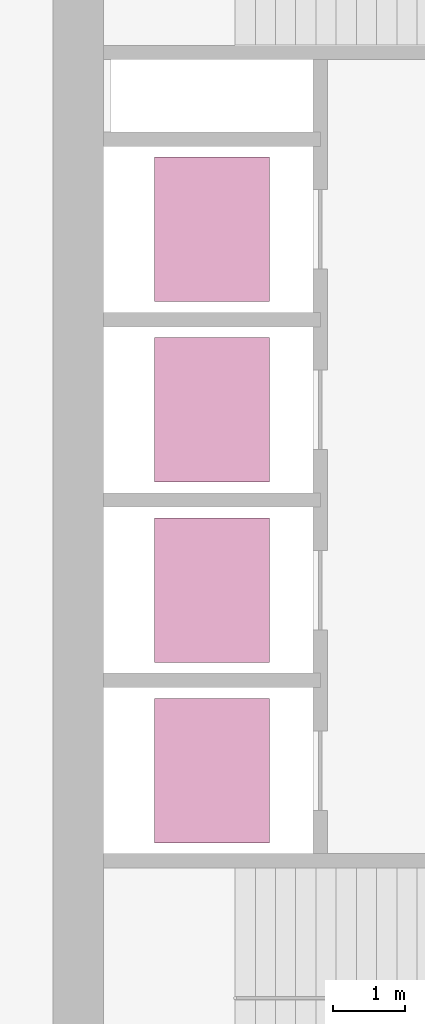
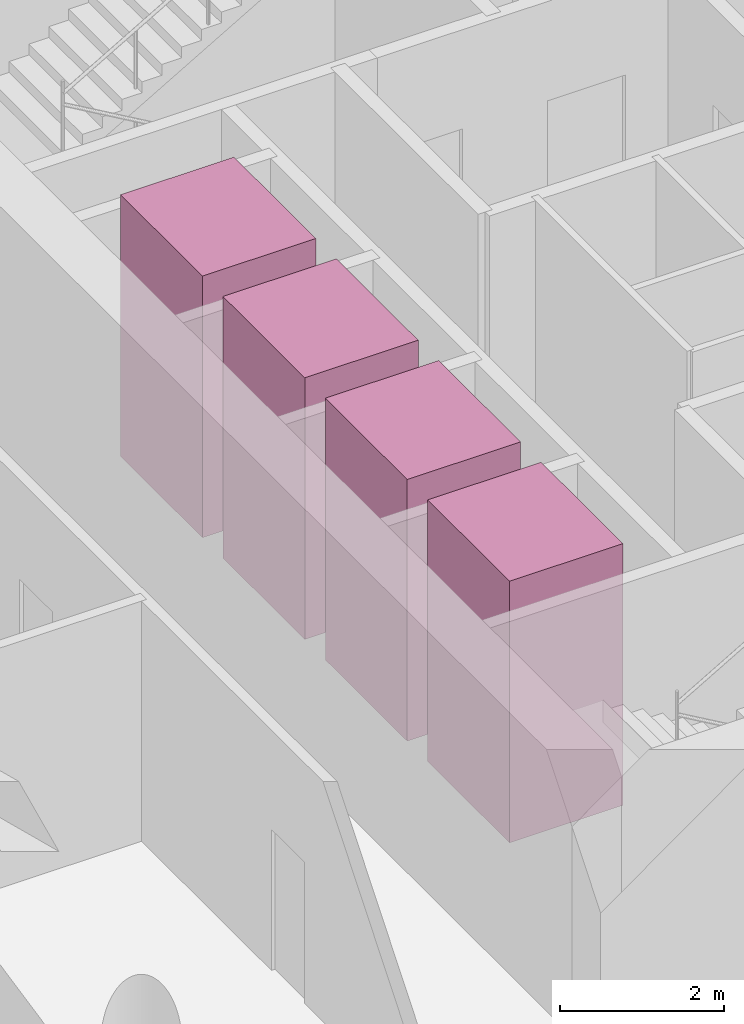
# One storey, part 9 of 9: 4 transport elements.
"""IFC4 building model written with IfcOpenShell, lengths in metres."""

from ifc_helpers import new_model, si_unit, direction, frame, origin, origin_2d, place, context, subcontext, project, spatial, rectangle, extrude, material, type_object, element, save


model = new_model("IFC4")

# Units and contexts
model_context = context("Model", 3, precision=1e-05, world=origin(), true_north=direction((0.0, 1.0)))
body_context = subcontext(model_context, "Body", "Model", "MODEL_VIEW")
ifc_project = project(units=[si_unit("LENGTHUNIT", "METRE"), si_unit("AREAUNIT", "SQUARE_METRE"), si_unit("VOLUMEUNIT", "CUBIC_METRE"), si_unit("PLANEANGLEUNIT", "RADIAN"), si_unit("MASSUNIT", "GRAM", prefix="KILO")], contexts=[model_context])

# Site, building, storey
site_placement = place(None, origin())
site = spatial("IfcSite", under=ifc_project, at=site_placement, CompositionType="ELEMENT")
building_placement = place(site_placement, origin())
building = spatial("IfcBuilding", under=site, at=building_placement, Name="Qaws Garden Tower", CompositionType="ELEMENT")
storey_placement = place(building_placement, frame((0.0, 0.0, 229.199951171875)))
storey = spatial("IfcBuildingStorey", under=building, at=storey_placement, Name="L56", CompositionType="ELEMENT", Elevation=229.199951171875)

# Transport elements
ifc_material = material(Name="Stainless steel 316", Category="steel")
transport_element_type = type_object("IfcTransportElementType", Name="Passenger lift car 2000x1600 1800 kg", PredefinedType="ELEVATOR", material=ifc_material)
for number, where, z_axis, x_axis, name in (
    (1, (10.199951171875, 13.64990234375, 0.0), (0.0, 0.0, 1.0), (1.0, 0.0, 0.0), "MR1"),
    (2, (10.199951171875, 16.14990234375, 0.0), (0.0, 0.0, 1.0), (1.0, 0.0, 0.0), "MR2"),
    (3, (10.199951171875, 18.64990234375, 0.0), (0.0, 0.0, 1.0), (1.0, 0.0, 0.0), "MR3"),
    (4, (10.199951171875, 21.14990234375, 0.0), (0.0, 0.0, 1.0), (1.0, 0.0, 0.0), "MR4"),
):
    element("IfcTransportElement", number, at=place(storey_placement, frame(where, z_axis=z_axis, x_axis=x_axis)), inside=storey, type_object=transport_element_type, Name=name, PredefinedType="ELEVATOR", context=body_context, shape_type="SweptSolid", body=[
        extrude(rectangle(XDim=1.60009765625, YDim=2.0, at=origin_2d()), origin(), (0.0, 0.0, 1.0), 3.89990234375),
    ])

save(model, "model.ifc")
